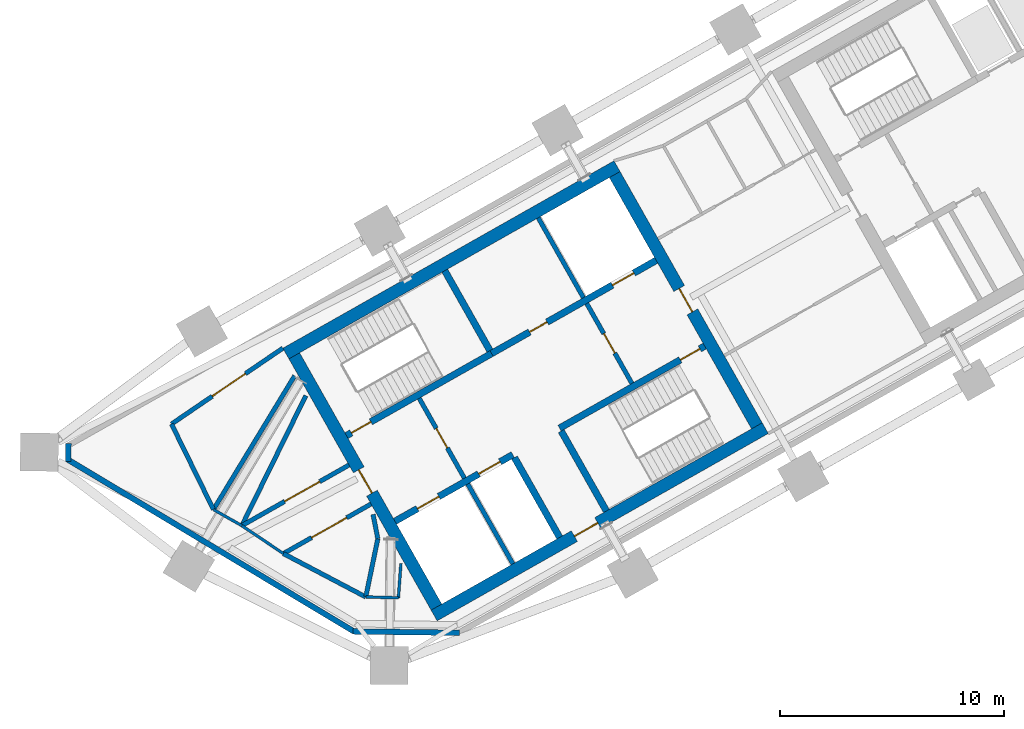
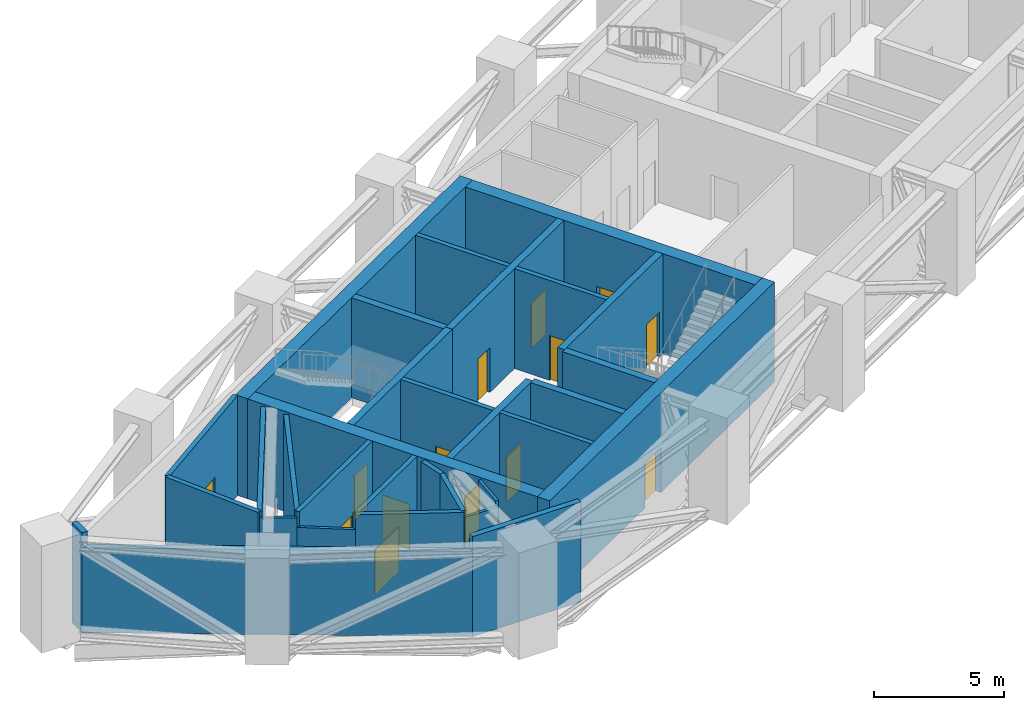
# One storey, part 9 of 16: 31 walls, 14 doors, 14 openings.
"""IFC4 building model written with IfcOpenShell, lengths in metres."""

from ifc_helpers import new_model, si_unit, direction, frame, frame_2d, origin, place, context, subcontext, project, spatial, rectangle, extrude, material, layer, layer_set, type_object, element, fill, save


model = new_model("IFC4")

# Units and contexts
model_context = context("Model", 3, precision=1e-05, world=origin(), true_north=direction((0.0, 1.0)))
body_context = subcontext(model_context, "Body", "Model", "MODEL_VIEW")
ifc_project = project(units=[si_unit("LENGTHUNIT", "METRE"), si_unit("AREAUNIT", "SQUARE_METRE"), si_unit("VOLUMEUNIT", "CUBIC_METRE"), si_unit("PLANEANGLEUNIT", "RADIAN"), si_unit("MASSUNIT", "GRAM", prefix="KILO")], contexts=[model_context])

# Site, building, storey
site_placement = place(None, origin())
site = spatial("IfcSite", under=ifc_project, at=site_placement, CompositionType="ELEMENT")
building_placement = place(site_placement, origin())
building = spatial("IfcBuilding", under=site, at=building_placement, Name="Binnacle Exchange Tower", CompositionType="ELEMENT")
storey_placement = place(building_placement, frame((0.0, 0.0, 149.89990234375)))
storey = spatial("IfcBuildingStorey", under=building, at=storey_placement, Name="L31", CompositionType="ELEMENT", Elevation=149.89990234375)

# Wall, openings, doors
ifc_material_1 = material(Name="Concrete C70/85", Category="concrete")
ifc_layer_1 = layer(ifc_material_1, 0.300048828125)
ifc_layer_set_1 = layer_set([ifc_layer_1], Name="Core wall - front 300")
wall_type_1 = type_object("IfcWallType", Name="Core wall - front 300", PredefinedType="SOLIDWALL", material=ifc_layer_set_1)
wall_1_placement = place(storey_placement, frame((-41.599609375, 33.936279296875, 0.0), z_axis=(0.0, 0.0, 1.0), x_axis=(0.870348557882, 0.492436176365, 0.0)))
wall_1 = element("IfcWall", 1, at=wall_1_placement, inside=storey, type_object=wall_type_1, Name="Core wall CRWA2", PredefinedType="SOLIDWALL", context=body_context, shape_type="SweptSolid", body=[
    extrude(rectangle(XDim=6.050048828125, YDim=0.300048828125, at=frame_2d((3.02490234375, 0.0))), origin(), (0.0, 0.0, 1.0), 4.68017578125),
])
opening_1_placement = place(wall_1_placement, frame((1.14990234375, 0.0, 0.0)))
opening_1 = element("IfcOpeningElement", 2, at=opening_1_placement, cuts=wall_1, Name="Opening LD12", PredefinedType="OPENING", context=body_context, shape_type="SweptSolid", body=[
    extrude(rectangle(XDim=1.10009765625, YDim=2.10009765625, at=frame_2d((0.550048828125, 1.050048828125))), frame((0.0, 0.159912109375, 0.0), z_axis=(0.0, -1.0, 0.0), x_axis=(1.0, 0.0, 0.0)), (0.0, 0.0, 1.0), 0.320068359375),
])
opening_2_placement = place(wall_1_placement, frame((4.300048828125, 0.0, 0.0)))
opening_2 = element("IfcOpeningElement", 3, at=opening_2_placement, cuts=wall_1, Name="Opening LD8", PredefinedType="OPENING", context=body_context, shape_type="SweptSolid", body=[
    extrude(rectangle(XDim=1.10009765625, YDim=2.10009765625, at=frame_2d((0.550048828125, 1.050048828125))), frame((0.0, 0.159912109375, 0.0), z_axis=(0.0, -1.0, 0.0), x_axis=(1.0, 0.0, 0.0)), (0.0, 0.0, 1.0), 0.320068359375),
])
ifc_material_2 = material(Name="Steel door leaf", Category="steel")
door_type_1 = type_object("IfcDoorType", Name="Fire door - lift landing 1100", OperationType="NOTDEFINED", PredefinedType="DOOR", material=ifc_material_2)
door_1_placement = place(opening_1_placement, origin())
door_1 = element("IfcDoor", 4, at=door_1_placement, inside=storey, type_object=door_type_1, Name="Landing door LD12 L31", OperationType="DOUBLE_DOOR_SLIDING", OverallHeight=2.10009765625, OverallWidth=1.10009765625, PredefinedType="DOOR", context=body_context, shape_type="SweptSolid", body=[
    extrude(rectangle(XDim=1.10009765625, YDim=2.10009765625, at=frame_2d((0.550048828125, 1.050048828125))), frame((0.0, 0.02490234375, 0.0), z_axis=(0.0, -1.0, 0.0), x_axis=(1.0, 0.0, 0.0)), (0.0, 0.0, 1.0), 0.050048828125),
])
fill(opening_1, door_1)
door_2_placement = place(opening_2_placement, origin())
door_2 = element("IfcDoor", 5, at=door_2_placement, inside=storey, type_object=door_type_1, Name="Landing door LD8 L31", OperationType="DOUBLE_DOOR_SLIDING", OverallHeight=2.10009765625, OverallWidth=1.10009765625, PredefinedType="DOOR", context=body_context, shape_type="SweptSolid", body=[
    extrude(rectangle(XDim=1.10009765625, YDim=2.10009765625, at=frame_2d((0.550048828125, 1.050048828125))), frame((0.0, 0.02490234375, 0.0), z_axis=(0.0, -1.0, 0.0), x_axis=(1.0, 0.0, 0.0)), (0.0, 0.0, 1.0), 0.050048828125),
])
fill(opening_2, door_2)

wall_2_placement = place(storey_placement, frame((-37.281982421875, 41.4345703125, 0.0), z_axis=(0.0, 0.0, 1.0), x_axis=(0.870359895813, 0.492416136779, 0.0)))
wall_2 = element("IfcWall", 6, at=wall_2_placement, inside=storey, type_object=wall_type_1, Name="Core wall CRWA5", PredefinedType="SOLIDWALL", context=body_context, shape_type="SweptSolid", body=[
    extrude(rectangle(XDim=8.449951171875, YDim=0.300048828125, at=frame_2d((4.22509765625, 0.0))), origin(), (0.0, 0.0, 1.0), 4.68017578125),
])
opening_3_placement = place(wall_2_placement, frame((6.199951171875, 0.0, 0.0)))
opening_3 = element("IfcOpeningElement", 7, at=opening_3_placement, cuts=wall_2, Name="Opening LD13", PredefinedType="OPENING", context=body_context, shape_type="SweptSolid", body=[
    extrude(rectangle(XDim=1.10009765625, YDim=2.10009765625, at=frame_2d((0.550048828125, 1.050048828125))), frame((0.0, 0.159912109375, 0.0), z_axis=(0.0, -1.0, 0.0), x_axis=(1.0, 0.0, 0.0)), (0.0, 0.0, 1.0), 0.320068359375),
])
opening_4_placement = place(wall_2_placement, frame((1.949951171875, 0.0, 0.0)))
opening_4 = element("IfcOpeningElement", 8, at=opening_4_placement, cuts=wall_2, Name="Opening DA10", PredefinedType="OPENING", context=body_context, shape_type="SweptSolid", body=[
    extrude(rectangle(XDim=0.89990234375, YDim=2.10009765625, at=frame_2d((0.449951171875, 1.050048828125))), frame((0.0, 0.159912109375, 0.0), z_axis=(0.0, -1.0, 0.0), x_axis=(1.0, 0.0, 0.0)), (0.0, 0.0, 1.0), 0.320068359375),
])
door_3_placement = place(opening_3_placement, origin())
door_3 = element("IfcDoor", 9, at=door_3_placement, inside=storey, type_object=door_type_1, Name="Landing door LD13 L31", OperationType="DOUBLE_DOOR_SLIDING", OverallHeight=2.10009765625, OverallWidth=1.10009765625, PredefinedType="DOOR", context=body_context, shape_type="SweptSolid", body=[
    extrude(rectangle(XDim=1.10009765625, YDim=2.10009765625, at=frame_2d((0.550048828125, 1.050048828125))), frame((0.0, 0.02490234375, 0.0), z_axis=(0.0, -1.0, 0.0), x_axis=(1.0, 0.0, 0.0)), (0.0, 0.0, 1.0), 0.050048828125),
])
fill(opening_3, door_3)
door_type_2 = type_object("IfcDoorType", Name="Fire door 900", OperationType="NOTDEFINED", PredefinedType="DOOR", material=ifc_material_2)
door_4_placement = place(opening_4_placement, origin())
door_4 = element("IfcDoor", 10, at=door_4_placement, inside=storey, type_object=door_type_2, Name="Core room door PANTRY", OperationType="SINGLE_SWING_LEFT", OverallHeight=2.10009765625, OverallWidth=0.89990234375, PredefinedType="DOOR", context=body_context, shape_type="SweptSolid", body=[
    extrude(rectangle(XDim=0.89990234375, YDim=2.10009765625, at=frame_2d((0.449951171875, 1.050048828125))), frame((0.0, 0.02490234375, 0.0), z_axis=(0.0, -1.0, 0.0), x_axis=(1.0, 0.0, 0.0)), (0.0, 0.0, 1.0), 0.050048828125),
])
fill(opening_4, door_4)

# Wall
wall_3_placement = place(storey_placement, frame((-36.260009765625, 36.784912109375, 0.0), z_axis=(0.0, 0.0, 1.0), x_axis=(0.492408451753, -0.87036424366, 0.0)))
element("IfcWall", 11, at=wall_3_placement, inside=storey, type_object=wall_type_1, Name="Core wall CRWA13", PredefinedType="SOLIDWALL", context=body_context, shape_type="SweptSolid", body=[
    extrude(rectangle(XDim=4.099853515625, YDim=0.300048828125, at=frame_2d((2.0498046875, 0.0))), origin(), (0.0, 0.0, 1.0), 4.68017578125),
])

# Wall, opening, door
ifc_layer_2 = layer(ifc_material_1, 0.550048828125)
ifc_layer_set_2 = layer_set([ifc_layer_2], Name="Core wall - outer 550")
wall_type_2 = type_object("IfcWallType", Name="Core wall - outer 550", PredefinedType="SOLIDWALL", material=ifc_layer_set_2)
wall_4_placement = place(storey_placement, frame((-39.85009765625, 29.727294921875, 0.0), z_axis=(0.0, 0.0, 1.0), x_axis=(0.870359753402, 0.492416388494, 0.0)))
wall_4 = element("IfcWall", 12, at=wall_4_placement, inside=storey, type_object=wall_type_2, Name="Core wall CRWA1", PredefinedType="SOLIDWALL", context=body_context, shape_type="SweptSolid", body=[
    extrude(rectangle(XDim=17.0, YDim=0.550048828125, at=frame_2d((8.5, 0.0))), origin(), (0.0, 0.0, 1.0), 4.68017578125),
])
opening_5_placement = place(wall_4_placement, frame((7.199951171875, 0.0, 0.0)))
opening_5 = element("IfcOpeningElement", 13, at=opening_5_placement, cuts=wall_4, Name="Opening DA7", PredefinedType="OPENING", context=body_context, shape_type="SweptSolid", body=[
    extrude(rectangle(XDim=1.199951171875, YDim=2.10009765625, at=frame_2d((0.60009765625, 1.050048828125))), frame((0.0, 0.284912109375, 0.0), z_axis=(0.0, -1.0, 0.0), x_axis=(1.0, 0.0, 0.0)), (0.0, 0.0, 1.0), 0.570068359375),
])
door_type_3 = type_object("IfcDoorType", Name="Fire door 1200", OperationType="NOTDEFINED", PredefinedType="DOOR", material=ifc_material_2)
door_5_placement = place(opening_5_placement, frame((1.199951171875, 0.0, 0.0), z_axis=(0.0, 0.0, 1.0), x_axis=(-1.0, 0.0, 0.0)))
door_5 = element("IfcDoor", 14, at=door_5_placement, inside=storey, type_object=door_type_3, Name="Lift lobby entrance door core A", OperationType="SINGLE_SWING_RIGHT", OverallHeight=2.10009765625, OverallWidth=1.199951171875, PredefinedType="DOOR", context=body_context, shape_type="SweptSolid", body=[
    extrude(rectangle(XDim=1.199951171875, YDim=2.10009765625, at=frame_2d((0.60009765625, 1.050048828125))), frame((0.0, 0.02490234375, 0.0), z_axis=(0.0, -1.0, 0.0), x_axis=(1.0, 0.0, 0.0)), (0.0, 0.0, 1.0), 0.050048828125),
])
fill(opening_5, door_5)

# Wall
wall_5_placement = place(storey_placement, frame((-46.47314453125, 41.43359375, 0.0), z_axis=(0.0, 0.0, 1.0), x_axis=(0.870359753402, 0.492416388494, 0.0)))
element("IfcWall", 15, at=wall_5_placement, inside=storey, type_object=wall_type_2, Name="Core wall CRWA6", PredefinedType="SOLIDWALL", context=body_context, shape_type="SweptSolid", body=[
    extrude(rectangle(XDim=17.0, YDim=0.550048828125, at=frame_2d((8.5, 0.0))), origin(), (0.0, 0.0, 1.0), 4.68017578125),
])

# Wall, opening, door
wall_6_placement = place(storey_placement, frame((-46.098388671875, 41.32958984375, 0.0), z_axis=(0.0, 0.0, 1.0), x_axis=(0.492418910884, -0.870358326325, 0.0)))
wall_6 = element("IfcWall", 16, at=wall_6_placement, inside=storey, type_object=wall_type_2, Name="Core wall CRWA7", PredefinedType="SOLIDWALL", context=body_context, shape_type="SweptSolid", body=[
    extrude(rectangle(XDim=12.900146484375, YDim=0.550048828125, at=frame_2d((6.4501953125, 0.0))), origin(), (0.0, 0.0, 1.0), 4.68017578125),
])
opening_6_placement = place(wall_6_placement, frame((5.85009765625, 0.0, 0.0)))
opening_6 = element("IfcOpeningElement", 17, at=opening_6_placement, cuts=wall_6, Name="Opening DA5", PredefinedType="OPENING", context=body_context, shape_type="SweptSolid", body=[
    extrude(rectangle(XDim=1.199951171875, YDim=2.10009765625, at=frame_2d((0.60009765625, 1.050048828125))), frame((0.0, 0.284912109375, 0.0), z_axis=(0.0, -1.0, 0.0), x_axis=(1.0, 0.0, 0.0)), (0.0, 0.0, 1.0), 0.570068359375),
])
door_6_placement = place(opening_6_placement, frame((1.199951171875, 0.0, 0.0), z_axis=(0.0, 0.0, 1.0), x_axis=(-1.0, 0.0, 0.0)))
door_6 = element("IfcDoor", 18, at=door_6_placement, inside=storey, type_object=door_type_3, Name="Vestibule exit door VEST-W", OperationType="SINGLE_SWING_RIGHT", OverallHeight=2.10009765625, OverallWidth=1.199951171875, PredefinedType="DOOR", context=body_context, shape_type="SweptSolid", body=[
    extrude(rectangle(XDim=1.199951171875, YDim=2.10009765625, at=frame_2d((0.60009765625, 1.050048828125))), frame((0.0, 0.02490234375, 0.0), z_axis=(0.0, -1.0, 0.0), x_axis=(1.0, 0.0, 0.0)), (0.0, 0.0, 1.0), 0.050048828125),
])
fill(opening_6, door_6)

wall_7_placement = place(storey_placement, frame((-31.781005859375, 49.429931640625, 0.0), z_axis=(0.0, 0.0, 1.0), x_axis=(0.492427022044, -0.870353737259, 0.0)))
wall_7 = element("IfcWall", 19, at=wall_7_placement, inside=storey, type_object=wall_type_2, Name="Core wall CRWA22", PredefinedType="SOLIDWALL", context=body_context, shape_type="SweptSolid", body=[
    extrude(rectangle(XDim=12.89990234375, YDim=0.550048828125, at=frame_2d((6.449951171875, 0.0))), origin(), (0.0, 0.0, 1.0), 4.68017578125),
])
opening_7_placement = place(wall_7_placement, frame((5.85009765625, 0.0, 0.0)))
opening_7 = element("IfcOpeningElement", 20, at=opening_7_placement, cuts=wall_7, Name="Opening DA6", PredefinedType="OPENING", context=body_context, shape_type="SweptSolid", body=[
    extrude(rectangle(XDim=1.199951171875, YDim=2.10009765625, at=frame_2d((0.60009765625, 1.050048828125))), frame((0.0, 0.284912109375, 0.0), z_axis=(0.0, -1.0, 0.0), x_axis=(1.0, 0.0, 0.0)), (0.0, 0.0, 1.0), 0.570068359375),
])
door_7_placement = place(opening_7_placement, origin())
door_7 = element("IfcDoor", 21, at=door_7_placement, inside=storey, type_object=door_type_3, Name="Vestibule exit door VEST-E", OperationType="SINGLE_SWING_RIGHT", OverallHeight=2.10009765625, OverallWidth=1.199951171875, PredefinedType="DOOR", context=body_context, shape_type="SweptSolid", body=[
    extrude(rectangle(XDim=1.199951171875, YDim=2.10009765625, at=frame_2d((0.60009765625, 1.050048828125))), frame((0.0, 0.02490234375, 0.0), z_axis=(0.0, -1.0, 0.0), x_axis=(1.0, 0.0, 0.0)), (0.0, 0.0, 1.0), 0.050048828125),
])
fill(opening_7, door_7)

ifc_layer_3 = layer(ifc_material_1, 0.300048828125)
ifc_layer_set_3 = layer_set([ifc_layer_3], Name="Core wall - stair 300")
wall_type_3 = type_object("IfcWallType", Name="Core wall - stair 300", PredefinedType="SOLIDWALL", material=ifc_layer_set_3)
wall_8_placement = place(storey_placement, frame((-34.2451171875, 38.097412109375, 0.0), z_axis=(0.0, 0.0, 1.0), x_axis=(0.870360741098, 0.49241464271, 0.0)))
wall_8 = element("IfcWall", 22, at=wall_8_placement, inside=storey, type_object=wall_type_3, Name="Core wall CRWA3", PredefinedType="SOLIDWALL", context=body_context, shape_type="SweptSolid", body=[
    extrude(rectangle(XDim=7.449951171875, YDim=0.300048828125, at=frame_2d((3.72509765625, 0.0))), origin(), (0.0, 0.0, 1.0), 4.68017578125),
])
opening_8_placement = place(wall_8_placement, frame((6.199951171875, 0.0, 0.0)))
opening_8 = element("IfcOpeningElement", 23, at=opening_8_placement, cuts=wall_8, Name="Opening DA2", PredefinedType="OPENING", context=body_context, shape_type="SweptSolid", body=[
    extrude(rectangle(XDim=1.0, YDim=2.10009765625, at=frame_2d((0.5, 1.050048828125))), frame((0.0, 0.159912109375, 0.0), z_axis=(0.0, -1.0, 0.0), x_axis=(1.0, 0.0, 0.0)), (0.0, 0.0, 1.0), 0.320068359375),
])
door_type_4 = type_object("IfcDoorType", Name="Fire door 1000", OperationType="NOTDEFINED", PredefinedType="DOOR", material=ifc_material_2)
door_8_placement = place(opening_8_placement, frame((1.0, 0.0, 0.0), z_axis=(0.0, 0.0, 1.0), x_axis=(-1.0, 0.0, 0.0)))
door_8 = element("IfcDoor", 24, at=door_8_placement, inside=storey, type_object=door_type_4, Name="Stair door ST-A2", OperationType="SINGLE_SWING_LEFT", OverallHeight=2.10009765625, OverallWidth=1.0, PredefinedType="DOOR", context=body_context, shape_type="SweptSolid", body=[
    extrude(rectangle(XDim=1.0, YDim=2.10009765625, at=frame_2d((0.5, 1.050048828125))), frame((0.0, 0.02490234375, 0.0), z_axis=(0.0, -1.0, 0.0), x_axis=(1.0, 0.0, 0.0)), (0.0, 0.0, 1.0), 0.050048828125),
])
fill(opening_8, door_8)

wall_9_placement = place(storey_placement, frame((-43.76611328125, 37.765869140625, 0.0), z_axis=(0.0, 0.0, 1.0), x_axis=(0.870346696097, 0.492439466932, 0.0)))
wall_9 = element("IfcWall", 25, at=wall_9_placement, inside=storey, type_object=wall_type_3, Name="Core wall CRWA4", PredefinedType="SOLIDWALL", context=body_context, shape_type="SweptSolid", body=[
    extrude(rectangle(XDim=7.449951171875, YDim=0.300048828125, at=frame_2d((3.72509765625, 0.0))), origin(), (0.0, 0.0, 1.0), 4.68017578125),
])
opening_9_placement = place(wall_9_placement, frame((0.25, 0.0, 0.0)))
opening_9 = element("IfcOpeningElement", 26, at=opening_9_placement, cuts=wall_9, Name="Opening DA1", PredefinedType="OPENING", context=body_context, shape_type="SweptSolid", body=[
    extrude(rectangle(XDim=1.0, YDim=2.10009765625, at=frame_2d((0.5, 1.050048828125))), frame((0.0, 0.159912109375, 0.0), z_axis=(0.0, -1.0, 0.0), x_axis=(1.0, 0.0, 0.0)), (0.0, 0.0, 1.0), 0.320068359375),
])
door_9_placement = place(opening_9_placement, origin())
door_9 = element("IfcDoor", 27, at=door_9_placement, inside=storey, type_object=door_type_4, Name="Stair door ST-A1", OperationType="SINGLE_SWING_LEFT", OverallHeight=2.10009765625, OverallWidth=1.0, PredefinedType="DOOR", context=body_context, shape_type="SweptSolid", body=[
    extrude(rectangle(XDim=1.0, YDim=2.10009765625, at=frame_2d((0.5, 1.050048828125))), frame((0.0, 0.02490234375, 0.0), z_axis=(0.0, -1.0, 0.0), x_axis=(1.0, 0.0, 0.0)), (0.0, 0.0, 1.0), 0.050048828125),
])
fill(opening_9, door_9)

# Walls
for number, where, z_axis, x_axis, name in (
    (28, (-39.375, 45.133544921875, 0.0), (0.0, 0.0, 1.0), (0.492428039142, -0.870353161807, 0.0), "Core wall CRWA14"),
    (29, (-34.171142578125, 37.966796875, 0.0), (0.0, 0.0, 1.0), (0.492382931784, -0.870378681085, 0.0), "Core wall CRWA16"),
):
    element("IfcWall", number, at=place(storey_placement, frame(where, z_axis=z_axis, x_axis=x_axis)), inside=storey, type_object=wall_type_3, Name=name, PredefinedType="SOLIDWALL", context=body_context, shape_type="SweptSolid", body=[
        extrude(rectangle(XDim=4.10009765625, YDim=0.300048828125, at=frame_2d((2.050048828125, 0.0))), origin(), (0.0, 0.0, 1.0), 4.68017578125),
    ])
ifc_material_3 = material(Name="Bronze aluminium louvre", Category="aluminium")
ifc_layer_4 = layer(ifc_material_3, 0.25)
ifc_layer_set_4 = layer_set([ifc_layer_4], Name="External wall - plant floor louvre 250")
wall_type_4 = type_object("IfcWallType", Name="External wall - plant floor louvre 250", PredefinedType="STANDARD", material=ifc_layer_set_4)
wall_10_placement = place(storey_placement, frame((-56.1982421875, 36.611572265625, 0.0), z_axis=(0.0, 0.0, 1.0), x_axis=(0.01315675587, 0.999913446142, 0.0)))
element("IfcWall", 30, at=wall_10_placement, inside=storey, type_object=wall_type_4, Name="External wall EW-Fm03 L31", PredefinedType="STANDARD", context=body_context, shape_type="SweptSolid", body=[
    extrude(rectangle(XDim=0.7978515625, YDim=0.25, at=frame_2d((0.39892578125, 0.0))), origin(), (0.0, 0.0, 1.0), 4.68017578125),
])
wall_11_placement = place(storey_placement, frame((-43.40673828125, 28.998046875, 0.0), z_axis=(0.0, 0.0, 1.0), x_axis=(-0.857168059559, 0.515036811958, 0.0)))
element("IfcWall", 31, at=wall_11_placement, inside=storey, type_object=wall_type_4, Name="External wall EW-Fm04 L31", PredefinedType="STANDARD", context=body_context, shape_type="SweptSolid", body=[
    extrude(rectangle(XDim=14.993896484375, YDim=0.25, at=frame_2d((7.4970703125, 0.0))), origin(), (0.0, 0.0, 1.0), 3.97998046875),
])
wall_12_placement = place(storey_placement, frame((-38.70703125, 28.953369140625, 0.0), z_axis=(0.0, 0.0, 1.0), x_axis=(-0.999913898072, 0.013122364172, 0.0)))
element("IfcWall", 32, at=wall_12_placement, inside=storey, type_object=wall_type_4, Name="External wall EW-Fm05 L31", PredefinedType="STANDARD", context=body_context, shape_type="SweptSolid", body=[
    extrude(rectangle(XDim=4.762939453125, YDim=0.25, at=frame_2d((2.38134765625, 0.0))), origin(), (0.0, 0.0, 1.0), 4.68017578125),
])
ifc_material_4 = material(Name="Masonry block wall", Category="masonry")
ifc_layer_5 = layer(ifc_material_4, 0.199951171875)
ifc_layer_set_5 = layer_set([ifc_layer_5], Name="Fire wall - block 200")
wall_type_5 = type_object("IfcWallType", Name="Fire wall - block 200", PredefinedType="PARTITIONING", material=ifc_layer_set_5)
wall_13_placement = place(storey_placement, frame((-51.583984375, 38.282958984375, 0.0), z_axis=(0.0, 0.0, 1.0), x_axis=(0.440433715159, -0.897785131616, 0.0)))
element("IfcWall", 33, at=wall_13_placement, inside=storey, type_object=wall_type_5, Name="Partition W01", PredefinedType="PARTITIONING", context=body_context, shape_type="SweptSolid", body=[
    extrude(rectangle(XDim=4.257080078125, YDim=0.199951171875, at=frame_2d((2.12841796875, 0.0))), origin(), (0.0, 0.0, 1.0), 4.68017578125),
])

# Wall, opening, door
wall_14_placement = place(storey_placement, frame((-51.583984375, 38.282958984375, 0.0), z_axis=(0.0, 0.0, 1.0), x_axis=(0.826380028005, 0.563112821124, 0.0)))
wall_14 = element("IfcWall", 34, at=wall_14_placement, inside=storey, type_object=wall_type_5, Name="Partition W02", PredefinedType="PARTITIONING", context=body_context, shape_type="SweptSolid", body=[
    extrude(rectangle(XDim=6.020263671875, YDim=0.199951171875, at=frame_2d((3.01025390625, 0.0))), origin(), (0.0, 0.0, 1.0), 4.68017578125),
])
opening_10_placement = place(wall_14_placement, frame((2.199951171875, 0.0, 0.0)))
opening_10 = element("IfcOpeningElement", 35, at=opening_10_placement, cuts=wall_14, Name="Opening DL31-20", PredefinedType="OPENING", context=body_context, shape_type="SweptSolid", body=[
    extrude(rectangle(XDim=1.800048828125, YDim=2.10009765625, at=frame_2d((0.89990234375, 1.050048828125))), frame((0.0, 0.10986328125, 0.0), z_axis=(0.0, -1.0, 0.0), x_axis=(1.0, 0.0, 0.0)), (0.0, 0.0, 1.0), 0.219970703125),
])
door_type_5 = type_object("IfcDoorType", Name="Fire door 1800", OperationType="NOTDEFINED", PredefinedType="DOOR", material=ifc_material_2)
door_10_placement = place(opening_10_placement, frame((1.800048828125, 0.0, 0.0), z_axis=(0.0, 0.0, 1.0), x_axis=(-1.0, 0.0, 0.0)))
door_10 = element("IfcDoor", 36, at=door_10_placement, inside=storey, type_object=door_type_5, Name="Door DL31-20", OperationType="DOUBLE_DOOR_SINGLE_SWING", OverallHeight=2.10009765625, OverallWidth=1.800048828125, PredefinedType="DOOR", context=body_context, shape_type="SweptSolid", body=[
    extrude(rectangle(XDim=1.800048828125, YDim=2.10009765625, at=frame_2d((0.89990234375, 1.050048828125))), frame((0.0, 0.02490234375, 0.0), z_axis=(0.0, -1.0, 0.0), x_axis=(1.0, 0.0, 0.0)), (0.0, 0.0, 1.0), 0.050048828125),
])
fill(opening_10, door_10)

# Wall
wall_15_placement = place(storey_placement, frame((-49.697998046875, 34.47998046875, 0.0), z_axis=(0.0, 0.0, 1.0), x_axis=(0.518831868334, 0.854876302398, 0.0)))
element("IfcWall", 37, at=wall_15_placement, inside=storey, type_object=wall_type_5, Name="Partition W04", PredefinedType="PARTITIONING", context=body_context, shape_type="SweptSolid", body=[
    extrude(rectangle(XDim=6.969482421875, YDim=0.199951171875, at=frame_2d((3.48486328125, 0.0))), origin(), (0.0, 0.0, 1.0), 4.68017578125),
])

# Wall, opening, door
wall_16_placement = place(storey_placement, frame((-48.44091796875, 33.741943359375, 0.0), z_axis=(0.0, 0.0, 1.0), x_axis=(0.870300652468, 0.492520836425, 0.0)))
wall_16 = element("IfcWall", 38, at=wall_16_placement, inside=storey, type_object=wall_type_5, Name="Partition W06", PredefinedType="PARTITIONING", context=body_context, shape_type="SweptSolid", body=[
    extrude(rectangle(XDim=5.500244140625, YDim=0.199951171875, at=frame_2d((2.75, 0.0))), origin(), (0.0, 0.0, 1.0), 4.68017578125),
])
opening_11_placement = place(wall_16_placement, frame((2.199951171875, 0.0, 0.0)))
opening_11 = element("IfcOpeningElement", 39, at=opening_11_placement, cuts=wall_16, Name="Opening DL31-01", PredefinedType="OPENING", context=body_context, shape_type="SweptSolid", body=[
    extrude(rectangle(XDim=1.800048828125, YDim=2.10009765625, at=frame_2d((0.89990234375, 1.050048828125))), frame((0.0, 0.10986328125, 0.0), z_axis=(0.0, -1.0, 0.0), x_axis=(1.0, 0.0, 0.0)), (0.0, 0.0, 1.0), 0.219970703125),
])
door_11_placement = place(opening_11_placement, origin())
door_11 = element("IfcDoor", 40, at=door_11_placement, inside=storey, type_object=door_type_5, Name="Door DL31-01", OperationType="DOUBLE_DOOR_SINGLE_SWING", OverallHeight=2.10009765625, OverallWidth=1.800048828125, PredefinedType="DOOR", context=body_context, shape_type="SweptSolid", body=[
    extrude(rectangle(XDim=1.800048828125, YDim=2.10009765625, at=frame_2d((0.89990234375, 1.050048828125))), frame((0.0, 0.02490234375, 0.0), z_axis=(0.0, -1.0, 0.0), x_axis=(1.0, 0.0, 0.0)), (0.0, 0.0, 1.0), 0.050048828125),
])
fill(opening_11, door_11)

# Walls
wall_17_placement = place(storey_placement, frame((-48.428955078125, 33.76708984375, 0.0), z_axis=(0.0, 0.0, 1.0), x_axis=(0.441676991993, 0.897174138472, 0.0)))
element("IfcWall", 41, at=wall_17_placement, inside=storey, type_object=wall_type_5, Name="Partition W07", PredefinedType="PARTITIONING", context=body_context, shape_type="SweptSolid", body=[
    extrude(rectangle(XDim=6.447998046875, YDim=0.199951171875, at=frame_2d((3.22412109375, 0.0))), origin(), (0.0, 0.0, 1.0), 4.68017578125),
])
wall_18_placement = place(storey_placement, frame((-46.5859375, 32.493896484375, 0.0), z_axis=(0.0, 0.0, 1.0), x_axis=(0.884902948151, -0.465775452717, 0.0)))
element("IfcWall", 42, at=wall_18_placement, inside=storey, type_object=wall_type_5, Name="Partition W08", PredefinedType="PARTITIONING", context=body_context, shape_type="SweptSolid", body=[
    extrude(rectangle(XDim=4.160888671875, YDim=0.199951171875, at=frame_2d((2.08056640625, 0.0))), origin(), (0.0, 0.0, 1.0), 4.68017578125),
])

# Wall, opening, door
wall_19_placement = place(storey_placement, frame((-46.5859375, 32.493896484375, 0.0), z_axis=(0.0, 0.0, 1.0), x_axis=(0.87036170491, 0.492412939134, 0.0)))
wall_19 = element("IfcWall", 43, at=wall_19_placement, inside=storey, type_object=wall_type_5, Name="Partition W09", PredefinedType="PARTITIONING", context=body_context, shape_type="SweptSolid", body=[
    extrude(rectangle(XDim=4.50048828125, YDim=0.199951171875, at=frame_2d((2.250244140625, 0.0))), origin(), (0.0, 0.0, 1.0), 4.68017578125),
])
opening_12_placement = place(wall_19_placement, frame((1.449951171875, 0.0, 0.0)))
opening_12 = element("IfcOpeningElement", 44, at=opening_12_placement, cuts=wall_19, Name="Opening DL31-02", PredefinedType="OPENING", context=body_context, shape_type="SweptSolid", body=[
    extrude(rectangle(XDim=1.800048828125, YDim=2.10009765625, at=frame_2d((0.89990234375, 1.050048828125))), frame((0.0, 0.10986328125, 0.0), z_axis=(0.0, -1.0, 0.0), x_axis=(1.0, 0.0, 0.0)), (0.0, 0.0, 1.0), 0.219970703125),
])
door_12_placement = place(opening_12_placement, frame((1.800048828125, 0.0, 0.0), z_axis=(0.0, 0.0, 1.0), x_axis=(-1.0, 0.0, 0.0)))
door_12 = element("IfcDoor", 45, at=door_12_placement, inside=storey, type_object=door_type_5, Name="Door DL31-02", OperationType="DOUBLE_DOOR_SINGLE_SWING", OverallHeight=2.10009765625, OverallWidth=1.800048828125, PredefinedType="DOOR", context=body_context, shape_type="SweptSolid", body=[
    extrude(rectangle(XDim=1.800048828125, YDim=2.10009765625, at=frame_2d((0.89990234375, 1.050048828125))), frame((0.0, 0.02490234375, 0.0), z_axis=(0.0, -1.0, 0.0), x_axis=(1.0, 0.0, 0.0)), (0.0, 0.0, 1.0), 0.050048828125),
])
fill(opening_12, door_12)

# Walls
wall_20_placement = place(storey_placement, frame((-42.89990234375, 30.575927734375, 0.0), z_axis=(0.0, 0.0, 1.0), x_axis=(0.202504561786, 0.979281319364, 0.0)))
element("IfcWall", 46, at=wall_20_placement, inside=storey, type_object=wall_type_5, Name="Partition W10", PredefinedType="PARTITIONING", context=body_context, shape_type="SweptSolid", body=[
    extrude(rectangle(XDim=2.63671875, YDim=0.199951171875, at=frame_2d((1.318359375, 0.0))), origin(), (0.0, 0.0, 1.0), 4.68017578125),
])
wall_21_placement = place(storey_placement, frame((-42.577880859375, 34.243896484375, 0.0), z_axis=(0.0, 0.0, 1.0), x_axis=(0.19153109743, -0.981486545357, 0.0)))
element("IfcWall", 47, at=wall_21_placement, inside=storey, type_object=wall_type_5, Name="Partition W12", PredefinedType="PARTITIONING", context=body_context, shape_type="SweptSolid", body=[
    extrude(rectangle(XDim=1.1064453125, YDim=0.199951171875, at=frame_2d((0.55322265625, 0.0))), origin(), (0.0, 0.0, 1.0), 4.68017578125),
])

# Wall, opening, door
ifc_layer_6 = layer(ifc_material_4, 0.199951171875)
ifc_layer_set_6 = layer_set([ifc_layer_6], Name="Fire wall - vestibule 200")
wall_type_6 = type_object("IfcWallType", Name="Fire wall - vestibule 200", PredefinedType="PARTITIONING", material=ifc_layer_set_6)
wall_22_placement = place(storey_placement, frame((-40.515625, 39.4326171875, 0.0), z_axis=(0.0, 0.0, 1.0), x_axis=(0.492453559952, -0.87033872216, 0.0)))
wall_22 = element("IfcWall", 48, at=wall_22_placement, inside=storey, type_object=wall_type_6, Name="Core wall CRWA10", PredefinedType="PARTITIONING", context=body_context, shape_type="SweptSolid", body=[
    extrude(rectangle(XDim=4.099853515625, YDim=0.199951171875, at=frame_2d((2.0498046875, 0.0))), origin(), (0.0, 0.0, 1.0), 4.68017578125),
])
opening_13_placement = place(wall_22_placement, frame((1.550048828125, 0.0, 0.0)))
opening_13 = element("IfcOpeningElement", 49, at=opening_13_placement, cuts=wall_22, Name="Opening DA3", PredefinedType="OPENING", context=body_context, shape_type="SweptSolid", body=[
    extrude(rectangle(XDim=1.0, YDim=2.10009765625, at=frame_2d((0.5, 1.050048828125))), frame((0.0, 0.10986328125, 0.0), z_axis=(0.0, -1.0, 0.0), x_axis=(1.0, 0.0, 0.0)), (0.0, 0.0, 1.0), 0.219970703125),
])
door_13_placement = place(opening_13_placement, frame((1.0, 0.0, 0.0), z_axis=(0.0, 0.0, 1.0), x_axis=(-1.0, 0.0, 0.0)))
door_13 = element("IfcDoor", 50, at=door_13_placement, inside=storey, type_object=door_type_4, Name="Vestibule door VEST-W", OperationType="SINGLE_SWING_LEFT", OverallHeight=2.10009765625, OverallWidth=1.0, PredefinedType="DOOR", context=body_context, shape_type="SweptSolid", body=[
    extrude(rectangle(XDim=1.0, YDim=2.10009765625, at=frame_2d((0.5, 1.050048828125))), frame((0.0, 0.02490234375, 0.0), z_axis=(0.0, -1.0, 0.0), x_axis=(1.0, 0.0, 0.0)), (0.0, 0.0, 1.0), 0.050048828125),
])
fill(opening_13, door_13)

wall_23_placement = place(storey_placement, frame((-33.030517578125, 43.66748046875, 0.0), z_axis=(0.0, 0.0, 1.0), x_axis=(0.492408451753, -0.87036424366, 0.0)))
wall_23 = element("IfcWall", 51, at=wall_23_placement, inside=storey, type_object=wall_type_6, Name="Core wall CRWA19", PredefinedType="PARTITIONING", context=body_context, shape_type="SweptSolid", body=[
    extrude(rectangle(XDim=4.099853515625, YDim=0.199951171875, at=frame_2d((2.0498046875, 0.0))), origin(), (0.0, 0.0, 1.0), 4.68017578125),
])
opening_14_placement = place(wall_23_placement, frame((1.550048828125, 0.0, 0.0)))
opening_14 = element("IfcOpeningElement", 52, at=opening_14_placement, cuts=wall_23, Name="Opening DA4", PredefinedType="OPENING", context=body_context, shape_type="SweptSolid", body=[
    extrude(rectangle(XDim=1.0, YDim=2.10009765625, at=frame_2d((0.5, 1.050048828125))), frame((0.0, 0.10986328125, 0.0), z_axis=(0.0, -1.0, 0.0), x_axis=(1.0, 0.0, 0.0)), (0.0, 0.0, 1.0), 0.219970703125),
])
door_14_placement = place(opening_14_placement, origin())
door_14 = element("IfcDoor", 53, at=door_14_placement, inside=storey, type_object=door_type_4, Name="Vestibule door VEST-E", OperationType="SINGLE_SWING_RIGHT", OverallHeight=2.10009765625, OverallWidth=1.0, PredefinedType="DOOR", context=body_context, shape_type="SweptSolid", body=[
    extrude(rectangle(XDim=1.0, YDim=2.10009765625, at=frame_2d((0.5, 1.050048828125))), frame((0.0, 0.02490234375, 0.0), z_axis=(0.0, -1.0, 0.0), x_axis=(1.0, 0.0, 0.0)), (0.0, 0.0, 1.0), 0.050048828125),
])
fill(opening_14, door_14)

# Walls
ifc_material_5 = material(Name="Gypsum partition")
ifc_layer_7 = layer(ifc_material_5, 0.125)
ifc_layer_set_7 = layer_set([ifc_layer_7], Name="Partition 125")
wall_type_7 = type_object("IfcWallType", Name="Partition 125", PredefinedType="PARTITIONING", material=ifc_layer_set_7)
wall_24_placement = place(storey_placement, frame((-49.700927734375, 34.4560546875, 0.0), z_axis=(0.0, 0.0, 1.0), x_axis=(0.869993053358, -0.493063978718, 0.0)))
element("IfcWall", 54, at=wall_24_placement, inside=storey, type_object=wall_type_7, Name="Partition W03", PredefinedType="PARTITIONING", context=body_context, shape_type="SweptSolid", body=[
    extrude(rectangle(XDim=1.43798828125, YDim=0.125, at=frame_2d((0.718994140625, 0.0))), origin(), (0.0, 0.0, 1.0), 4.4111328125),
])
wall_25_placement = place(storey_placement, frame((-48.44091796875, 33.741943359375, 0.0), z_axis=(0.0, 0.0, 1.0), x_axis=(0.829690845398, -0.558223164211, 0.0)))
element("IfcWall", 55, at=wall_25_placement, inside=storey, type_object=wall_type_7, Name="Partition W05", PredefinedType="PARTITIONING", context=body_context, shape_type="SweptSolid", body=[
    extrude(rectangle(XDim=2.23583984375, YDim=0.125, at=frame_2d((1.117919921875, 0.0))), origin(), (0.0, 0.0, 1.0), 3.960205078125),
])
wall_26_placement = place(storey_placement, frame((-42.89404296875, 30.555908203125, 0.0), z_axis=(0.0, 0.0, 1.0), x_axis=(0.999658224557, -0.026142572095, 0.0)))
element("IfcWall", 56, at=wall_26_placement, inside=storey, type_object=wall_type_7, Name="Partition W11", PredefinedType="PARTITIONING", context=body_context, shape_type="SweptSolid", body=[
    extrude(rectangle(XDim=1.447509765625, YDim=0.125, at=frame_2d((0.7236328125, 0.0))), origin(), (0.0, 0.0, 1.0), 4.4111328125),
])
wall_27_placement = place(storey_placement, frame((-41.447021484375, 30.51806640625, 0.0), z_axis=(0.0, 0.0, 1.0), x_axis=(0.073091534981, 0.997325236577, 0.0)))
element("IfcWall", 57, at=wall_27_placement, inside=storey, type_object=wall_type_7, Name="Partition W13", PredefinedType="PARTITIONING", context=body_context, shape_type="SweptSolid", body=[
    extrude(rectangle(XDim=1.533203125, YDim=0.125, at=frame_2d((0.7666015625, 0.0))), origin(), (0.0, 0.0, 1.0), 4.68017578125),
])
ifc_layer_8 = layer(ifc_material_4, 0.199951171875)
ifc_layer_set_8 = layer_set([ifc_layer_8], Name="Shaft wall 200")
wall_type_8 = type_object("IfcWallType", Name="Shaft wall 200", PredefinedType="SOLIDWALL", material=ifc_layer_set_8)
wall_28_placement = place(storey_placement, frame((-38.348876953125, 35.603271484375, 0.0), z_axis=(0.0, 0.0, 1.0), x_axis=(0.492382931784, -0.870378681085, 0.0)))
element("IfcWall", 58, at=wall_28_placement, inside=storey, type_object=wall_type_8, Name="Core wall CRWA9", PredefinedType="SOLIDWALL", context=body_context, shape_type="SweptSolid", body=[
    extrude(rectangle(XDim=4.10009765625, YDim=0.199951171875, at=frame_2d((2.050048828125, 0.0))), origin(), (0.0, 0.0, 1.0), 4.68017578125),
])
wall_29_placement = place(storey_placement, frame((-35.197265625, 47.4970703125, 0.0), z_axis=(0.0, 0.0, 1.0), x_axis=(0.492453559952, -0.87033872216, 0.0)))
element("IfcWall", 59, at=wall_29_placement, inside=storey, type_object=wall_type_8, Name="Core wall CRWA21", PredefinedType="SOLIDWALL", context=body_context, shape_type="SweptSolid", body=[
    extrude(rectangle(XDim=4.099853515625, YDim=0.199951171875, at=frame_2d((2.0498046875, 0.0))), origin(), (0.0, 0.0, 1.0), 4.68017578125),
])

save(model, "model.ifc")
